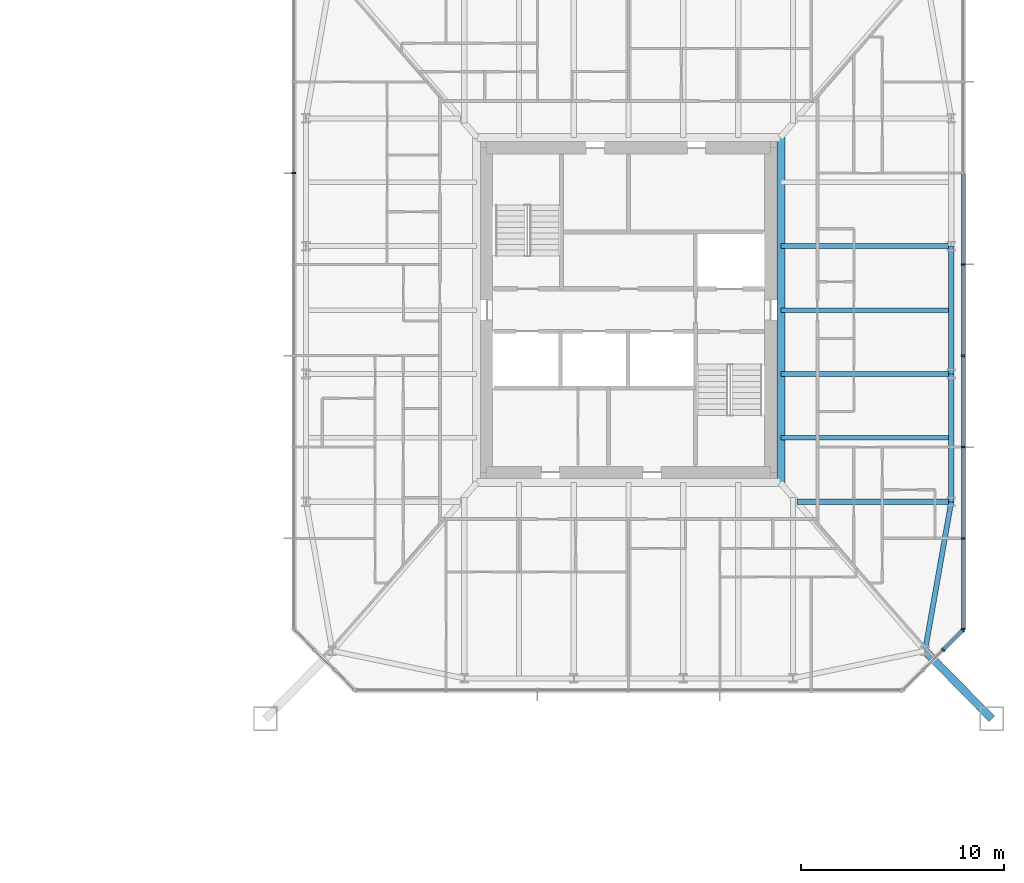
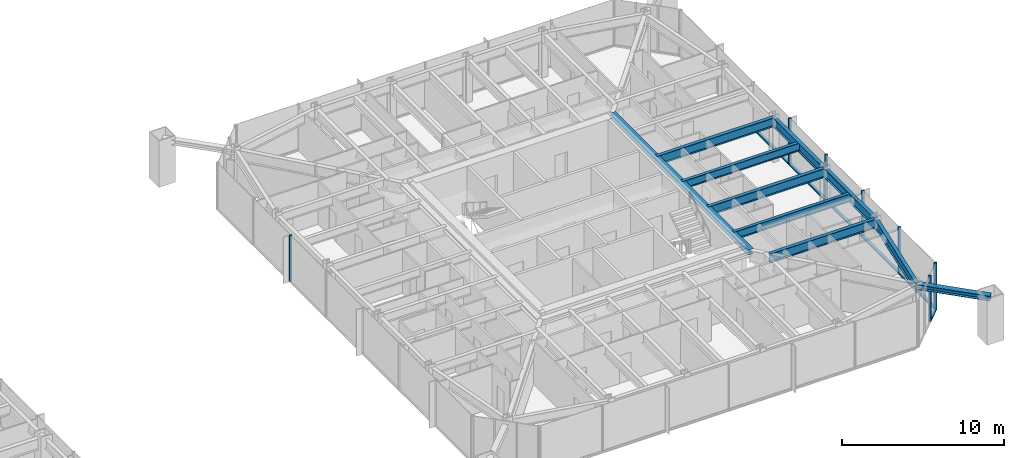
# One storey, part 9 of 26: 15 members, 9 beams, 3 elements without a shape of their own.
"""IFC4 building model written with IfcOpenShell, lengths in metres."""

import ifcopenshell
import ifcopenshell.guid

model = None  # the IFC model being written
_history = None  # IfcOwnerHistory: only IFC2X3 demands one
_inside = {}  # id of a spatial element -> (the spatial element, [elements in it])
_under = {}  # id of a project, library or spatial element -> (it, [spatial elements below it])
_declared = {}  # id of a project -> (the project, [libraries it declares])
_typed = {}  # id of a type object -> (the type object, [elements of that type])
_made_of = {}  # id of a material, layer set ... -> (it, [elements and type objects made of it])


def new_model(schema):
    """Start an empty IFC model of exactly this schema.

    Asked for "IFC4X3", IfcOpenShell would pick the latest addendum, in which some entities
    have other attributes; the version numbers below select the first issue.
    IFC2X3 requires an IfcOwnerHistory on every rooted entity: one is made here for all.
    """
    global model, _history
    if schema == "IFC4X3":
        model = ifcopenshell.file(schema_version=(4, 3, 0, 0))
    else:
        model = ifcopenshell.file(schema=schema)
    _inside.clear()
    _under.clear()
    _declared.clear()
    _typed.clear()
    _made_of.clear()
    _history = None
    if model.schema == "IFC2X3":
        org = make("IfcOrganization", Name="unknown")
        user = make(
            "IfcPersonAndOrganization",
            ThePerson=make("IfcPerson", FamilyName="unknown"),
            TheOrganization=org,
        )
        app = make(
            "IfcApplication",
            ApplicationDeveloper=org,
            Version="unknown",
            ApplicationFullName="unknown",
            ApplicationIdentifier="unknown",
        )
        _history = make(
            "IfcOwnerHistory",
            OwningUser=user,
            OwningApplication=app,
            ChangeAction="ADDED",
            CreationDate=0,
        )
    return model


def make(cls, **values):
    """One entity of the class cls with the attributes given. An attribute that is None is left unset."""
    return model.create_entity(
        cls, **{name: value for name, value in values.items() if value is not None}
    )


def rooted(cls, **values):
    """An entity with a GlobalId (a new one), such as an element, a storey or a relation."""
    return make(cls, GlobalId=ifcopenshell.guid.new(), OwnerHistory=_history, **values)


def si_unit(unit_type, name, prefix=None):
    """IfcSIUnit, for example si_unit("LENGTHUNIT", "METRE", prefix="MILLI")."""
    return make("IfcSIUnit", UnitType=unit_type, Prefix=prefix, Name=name)


def assignment(units):
    """IfcUnitAssignment: the units of a project."""
    return None if units is None else make("IfcUnitAssignment", Units=units)


def point(xyz):
    """IfcCartesianPoint."""
    return None if xyz is None else make("IfcCartesianPoint", Coordinates=xyz)


def direction(xyz):
    """IfcDirection."""
    return None if xyz is None else make("IfcDirection", DirectionRatios=xyz)


def frame(location, z_axis=None, x_axis=None):
    """IfcAxis2Placement3D, a coordinate frame: its origin and axes. An axis left out is left unset."""
    return make(
        "IfcAxis2Placement3D",
        Location=point(location),
        Axis=direction(z_axis),
        RefDirection=direction(x_axis),
    )


def frame_2d(location, x_axis=None):
    """IfcAxis2Placement2D, a coordinate frame in the plane: its origin and x axis."""
    return make(
        "IfcAxis2Placement2D", Location=point(location), RefDirection=direction(x_axis)
    )


def origin():
    """The frame at (0, 0, 0) with its axes left unset."""
    return frame((0.0, 0.0, 0.0))


def origin_2d():
    """The frame at (0, 0) in the plane with its x axis left unset."""
    return frame_2d((0.0, 0.0))


def place(relative_to, where):
    """IfcLocalPlacement: puts the frame where relative to a parent placement (None: the world)."""
    return make(
        "IfcLocalPlacement", PlacementRelTo=relative_to, RelativePlacement=where
    )


def context(
    kind, dimensions, precision=None, world=None, true_north=None, identifier=None
):
    """IfcGeometricRepresentationContext, for example the 3D "Model" context."""
    return make(
        "IfcGeometricRepresentationContext",
        ContextIdentifier=identifier,
        ContextType=kind,
        CoordinateSpaceDimension=dimensions,
        Precision=precision,
        WorldCoordinateSystem=world,
        TrueNorth=true_north,
    )


def subcontext(parent, identifier, kind, view, scale=None):
    """IfcGeometricRepresentationSubContext, for example "Body" below "Model"."""
    return make(
        "IfcGeometricRepresentationSubContext",
        ContextIdentifier=identifier,
        ContextType=kind,
        ParentContext=parent,
        TargetScale=scale,
        TargetView=view,
    )


def project(units=None, contexts=None):
    """IfcProject with its units and contexts."""
    return rooted(
        "IfcProject",
        Name="project",
        RepresentationContexts=contexts,
        UnitsInContext=assignment(units),
    )


def spatial(cls, under=None, at=None, **own):
    """A site, building, storey or space (cls), placed at a placement, below another one or the project."""
    s = rooted(cls, ObjectPlacement=at, **own)
    if under is not None:
        _under.setdefault(under.id(), (under, []))[1].append(s)
    return s


def profile(cls, at=None, kind="AREA", **sizes):
    """A parametric profile (cls). Its sizes go by their IFC names, for example OverallWidth=200.0."""
    return make(cls, ProfileType=kind, Position=at, **sizes)


def rectangle(**sizes):
    """IfcRectangleProfileDef."""
    return profile("IfcRectangleProfileDef", **sizes)


def i_section(**sizes):
    """IfcIShapeProfileDef."""
    return profile("IfcIShapeProfileDef", **sizes)


def extrude(swept, where, along, depth):
    """IfcExtrudedAreaSolid: the profile swept, set in the frame where, extruded along a direction by depth."""
    return make(
        "IfcExtrudedAreaSolid",
        SweptArea=swept,
        Position=where,
        ExtrudedDirection=direction(along),
        Depth=depth,
    )


def shape(context_of_items, identifier, shape_type, items):
    """IfcShapeRepresentation: the items that make up one representation, for example the "Body"."""
    return make(
        "IfcShapeRepresentation",
        ContextOfItems=context_of_items,
        RepresentationIdentifier=identifier,
        RepresentationType=shape_type,
        Items=items,
    )


def material(Name=None, Category=None):
    """IfcMaterial."""
    return make("IfcMaterial", Name=Name, Category=Category)


def material_profile(
    of_material, cross_section, Name=None, Category=None, Priority=None
):
    """IfcMaterialProfile: a cross section and its material."""
    return make(
        "IfcMaterialProfile",
        Name=Name,
        Material=of_material,
        Profile=cross_section,
        Priority=Priority,
        Category=Category,
    )


def profile_set(profiles, Name=None, composite=None):
    """IfcMaterialProfileSet."""
    return make(
        "IfcMaterialProfileSet",
        Name=Name,
        MaterialProfiles=profiles,
        CompositeProfile=composite,
    )


def made_of(thing, what):
    """Note that an element or type object is made of a material, layer set ...; save() writes the relation."""
    if what is not None:
        _made_of.setdefault(what.id(), (what, []))[1].append(thing)
    return thing


def type_object(cls, material=None, **own):
    """A type object (cls), such as IfcWallType, which elements share."""
    return made_of(rooted(cls, **own), material)


def element(
    cls,
    number,
    at=None,
    inside=None,
    cuts=None,
    type_object=None,
    material=None,
    context=None,
    identifier="Body",
    shape_type=None,
    held_by="IfcProductDefinitionShape",
    body=None,
    shapes=None,
    **own,
):
    """One element of the class cls, such as IfcWall. Its Tag is "e" and its number.

    at: its placement. inside: the storey or other place that contains it. cuts: it is an
    opening in that element (IfcRelVoidsElement). A single representation is given by context,
    identifier, shape_type and body (its items); several are given by shapes. held_by: the class
    of the entity that holds the representations. save() writes the other relations.
    """
    e = rooted(cls, Tag="e%d" % number, ObjectPlacement=at, **own)
    if body is not None:
        shapes = [shape(context, identifier, shape_type, body)]
    if shapes is not None:
        e.Representation = make(held_by, Representations=shapes)
    if inside is not None:
        _inside.setdefault(inside.id(), (inside, []))[1].append(e)
    if cuts is not None:
        rooted(
            "IfcRelVoidsElement", RelatingBuildingElement=cuts, RelatedOpeningElement=e
        )
    if type_object is not None:
        _typed.setdefault(type_object.id(), (type_object, []))[1].append(e)
    return made_of(e, material)


def aggregate(whole, parts):
    """IfcRelAggregates: a whole, such as a stair, and the parts it consists of."""
    return rooted("IfcRelAggregates", RelatingObject=whole, RelatedObjects=parts)


def save(model, path):
    """Write the relations noted so far, then the file.

    IfcRelAggregates (storeys below a building ...), IfcRelContainedInSpatialStructure (elements
    in a storey), IfcRelDefinesByType, IfcRelAssociatesMaterial and IfcRelDeclares: one each for
    every whole, place, type object, material and project.
    """
    for whole, parts in _under.values():
        aggregate(whole, parts)
    for where, things in _inside.values():
        rooted(
            "IfcRelContainedInSpatialStructure",
            RelatedElements=things,
            RelatingStructure=where,
        )
    for kind, things in _typed.values():
        rooted("IfcRelDefinesByType", RelatedObjects=things, RelatingType=kind)
    for what, things in _made_of.values():
        rooted("IfcRelAssociatesMaterial", RelatedObjects=things, RelatingMaterial=what)
    for by, libraries in _declared.values():
        rooted("IfcRelDeclares", RelatingContext=by, RelatedDefinitions=libraries)
    model.write(path)


model = new_model("IFC4")

# Units and contexts
model_context = context("Model", 3, precision=1e-05, world=origin(), true_north=direction((0.0, 1.0)))
body_context = subcontext(model_context, "Body", "Model", "MODEL_VIEW")
ifc_project = project(units=[si_unit("LENGTHUNIT", "METRE"), si_unit("AREAUNIT", "SQUARE_METRE"), si_unit("VOLUMEUNIT", "CUBIC_METRE"), si_unit("PLANEANGLEUNIT", "RADIAN"), si_unit("MASSUNIT", "GRAM", prefix="KILO")], contexts=[model_context])

# Site, building, storey
site_placement = place(None, origin())
site = spatial("IfcSite", under=ifc_project, at=site_placement, CompositionType="ELEMENT")
building_placement = place(site_placement, origin())
building = spatial("IfcBuilding", under=site, at=building_placement, Name="Iwan Alto Co-Living Towers", CompositionType="ELEMENT")
storey_placement = place(building_placement, frame((0.0, 0.0, 67.5)))
storey = spatial("IfcBuildingStorey", under=building, at=storey_placement, Name="L18", CompositionType="ELEMENT", Elevation=67.5)

# Curtain wall, members
ifc_material_1 = material(Name="Bronze aluminium unitised frame", Category="aluminium")
curtain_wall_type_1 = type_object("IfcCurtainWallType", Name="CURTAIN WALL CW-C", PredefinedType="NOTDEFINED", material=ifc_material_1)
curtain_wall_1_placement = place(storey_placement, origin())
curtain_wall_1 = element("IfcCurtainWall", 1, at=curtain_wall_1_placement, inside=storey, type_object=curtain_wall_type_1, Name="T2 curtain wall E L18", PredefinedType="NOTDEFINED")
ifc_material_2 = material(Name="Aluminium 6063-T6 bronze anodised", Category="aluminium")
ifc_material_profile_1 = material_profile(ifc_material_2, rectangle(XDim=0.199951171875, YDim=0.080078125, at=origin_2d()), Name="AL 80X200")
ifc_profile_set_1 = profile_set([ifc_material_profile_1], Name="Aluminium 6063-T6 bronze anodised")
member_type_1 = type_object("IfcMemberType", Name="CW-C MULLION 80X200", PredefinedType="MULLION", material=ifc_profile_set_1)
member_1_placement = place(storey_placement, frame((79.5, -15.7099609375, 0.0), z_axis=(0.0, 0.0, 1.0), x_axis=(-1.0, 0.0, 0.0)))
member_1 = element("IfcMember", 2, at=member_1_placement, type_object=member_type_1, Name="CW-C mullion 1", PredefinedType="MULLION", context=body_context, shape_type="SweptSolid", body=[
    extrude(rectangle(XDim=0.199951171875, YDim=0.080078125, at=origin_2d()), origin(), (0.0, 0.0, 1.0), 3.5),
])
member_2_placement = place(storey_placement, frame((79.5, -11.25, 0.0), z_axis=(0.0, 0.0, 1.0), x_axis=(-1.0, 0.0, 0.0)))
member_2 = element("IfcMember", 3, at=member_2_placement, type_object=member_type_1, Name="CW-C mullion 2", PredefinedType="MULLION", context=body_context, shape_type="SweptSolid", body=[
    extrude(rectangle(XDim=0.199951171875, YDim=0.080078125, at=origin_2d()), origin(), (0.0, 0.0, 1.0), 3.5),
])
member_3_placement = place(storey_placement, frame((79.5, -6.75, 0.0), z_axis=(0.0, 0.0, 1.0), x_axis=(-1.0, 0.0, 0.0)))
member_3 = element("IfcMember", 4, at=member_3_placement, type_object=member_type_1, Name="CW-C mullion 3", PredefinedType="MULLION", context=body_context, shape_type="SweptSolid", body=[
    extrude(rectangle(XDim=0.199951171875, YDim=0.080078125, at=origin_2d()), origin(), (0.0, 0.0, 1.0), 3.5),
])
member_4_placement = place(storey_placement, frame((79.5, -2.25, 0.0), z_axis=(0.0, 0.0, 1.0), x_axis=(-1.0, 0.0, 0.0)))
member_4 = element("IfcMember", 5, at=member_4_placement, type_object=member_type_1, Name="CW-C mullion 4", PredefinedType="MULLION", context=body_context, shape_type="SweptSolid", body=[
    extrude(rectangle(XDim=0.199951171875, YDim=0.080078125, at=origin_2d()), origin(), (0.0, 0.0, 1.0), 3.5),
])
member_5_placement = place(storey_placement, frame((79.5, 2.25, 0.0), z_axis=(0.0, 0.0, 1.0), x_axis=(-1.0, 0.0, 0.0)))
member_5 = element("IfcMember", 6, at=member_5_placement, type_object=member_type_1, Name="CW-C mullion 5", PredefinedType="MULLION", context=body_context, shape_type="SweptSolid", body=[
    extrude(rectangle(XDim=0.199951171875, YDim=0.080078125, at=origin_2d()), origin(), (0.0, 0.0, 1.0), 3.5),
])

# Curtain wall, member
curtain_wall_2_placement = place(storey_placement, origin())
curtain_wall_2 = element("IfcCurtainWall", 7, at=curtain_wall_2_placement, inside=storey, type_object=curtain_wall_type_1, Name="T2 curtain wall W L18", PredefinedType="NOTDEFINED")
member_6_placement = place(storey_placement, frame((46.5, 6.75, 0.0), z_axis=(0.0, 0.0, 1.0), x_axis=(1.0, 0.0, 0.0)))
member_6 = element("IfcMember", 8, at=member_6_placement, type_object=member_type_1, Name="CW-C mullion 3", PredefinedType="MULLION", context=body_context, shape_type="SweptSolid", body=[
    extrude(rectangle(XDim=0.199951171875, YDim=0.080078125, at=origin_2d()), origin(), (0.0, 0.0, 1.0), 3.5),
])
aggregate(curtain_wall_2, [member_6])

# Member
ifc_material_3 = material(Name="Aluminium 6063-T6 bronze anodised", Category="aluminium")
ifc_material_profile_2 = material_profile(ifc_material_3, rectangle(XDim=0.199951171875, YDim=0.10009765625, at=origin_2d()), Name="AL 200X100")
ifc_profile_set_2 = profile_set([ifc_material_profile_2], Name="Aluminium 6063-T6 bronze anodised")
member_type_2 = type_object("IfcMemberType", Name="CW-C TRANSOM 200X100", PredefinedType="USERDEFINED", material=ifc_profile_set_2)
member_7_placement = place(storey_placement, frame((79.5, -15.669921875, 0.050048828125), z_axis=(0.0, 1.0, 0.0), x_axis=(-1.0, 0.0, 0.0)))
member_7 = element("IfcMember", 9, at=member_7_placement, type_object=member_type_2, Name="CW-C transom 1.1", ObjectType="TRANSOM", PredefinedType="USERDEFINED", context=body_context, shape_type="SweptSolid", body=[
    extrude(rectangle(XDim=0.199951171875, YDim=0.10009765625, at=origin_2d()), origin(), (0.0, 0.0, 1.0), 4.3798828125),
])

member_8_placement = place(storey_placement, frame((79.5, -11.2099609375, 0.050048828125), z_axis=(0.0, 1.0, 0.0), x_axis=(-1.0, 0.0, 0.0)))
member_8 = element("IfcMember", 10, at=member_8_placement, type_object=member_type_2, Name="CW-C transom 2.1", ObjectType="TRANSOM", PredefinedType="USERDEFINED", context=body_context, shape_type="SweptSolid", body=[
    extrude(rectangle(XDim=0.199951171875, YDim=0.10009765625, at=origin_2d()), origin(), (0.0, 0.0, 1.0), 4.419921875),
])

member_9_placement = place(storey_placement, frame((79.5, -6.7099609375, 0.050048828125), z_axis=(0.0, 1.0, 0.0), x_axis=(-1.0, 0.0, 0.0)))
member_9 = element("IfcMember", 11, at=member_9_placement, type_object=member_type_2, Name="CW-C transom 3.1", ObjectType="TRANSOM", PredefinedType="USERDEFINED", context=body_context, shape_type="SweptSolid", body=[
    extrude(rectangle(XDim=0.199951171875, YDim=0.10009765625, at=origin_2d()), origin(), (0.0, 0.0, 1.0), 4.419921875),
])

member_10_placement = place(storey_placement, frame((79.5, -2.2099609375, 0.050048828125), z_axis=(0.0, 1.0, 0.0), x_axis=(-1.0, 0.0, 0.0)))
member_10 = element("IfcMember", 12, at=member_10_placement, type_object=member_type_2, Name="CW-C transom 4.1", ObjectType="TRANSOM", PredefinedType="USERDEFINED", context=body_context, shape_type="SweptSolid", body=[
    extrude(rectangle(XDim=0.199951171875, YDim=0.10009765625, at=origin_2d()), origin(), (0.0, 0.0, 1.0), 4.419921875),
])

member_11_placement = place(storey_placement, frame((79.5, 2.2900390625, 0.050048828125), z_axis=(0.0, 1.0, 0.0), x_axis=(-1.0, 0.0, 0.0)))
member_11 = element("IfcMember", 13, at=member_11_placement, type_object=member_type_2, Name="CW-C transom 5.1", ObjectType="TRANSOM", PredefinedType="USERDEFINED", context=body_context, shape_type="SweptSolid", body=[
    extrude(rectangle(XDim=0.199951171875, YDim=0.10009765625, at=origin_2d()), origin(), (0.0, 0.0, 1.0), 4.419921875),
])

aggregate(curtain_wall_1, [member_1, member_2, member_3, member_4, member_5, member_7, member_8, member_9, member_10, member_11])

# Curtain wall, members
ifc_material_4 = material(Name="Bronze aluminium unitised frame", Category="aluminium")
curtain_wall_type_2 = type_object("IfcCurtainWallType", Name="CURTAIN WALL CW-D", PredefinedType="NOTDEFINED", material=ifc_material_4)
curtain_wall_3_placement = place(storey_placement, origin())
curtain_wall_3 = element("IfcCurtainWall", 14, at=curtain_wall_3_placement, inside=storey, type_object=curtain_wall_type_2, Name="T2 chamfer curtain wall SE L18", PredefinedType="NOTDEFINED")
ifc_material_5 = material(Name="Aluminium 6063-T6 bronze anodised", Category="aluminium")
ifc_material_profile_3 = material_profile(ifc_material_5, rectangle(XDim=0.199951171875, YDim=0.080078125, at=origin_2d()), Name="AL 80X200")
ifc_profile_set_3 = profile_set([ifc_material_profile_3], Name="Aluminium 6063-T6 bronze anodised")
member_type_3 = type_object("IfcMemberType", Name="CW-D MULLION 80X200", PredefinedType="MULLION", material=ifc_profile_set_3)
member_12_placement = place(storey_placement, frame((78.5, -16.75, 0.0), z_axis=(0.0, 0.0, 1.0), x_axis=(-0.707106781187, 0.707106781187, 0.0)))
member_12 = element("IfcMember", 15, at=member_12_placement, type_object=member_type_3, Name="CW-D mullion 3", PredefinedType="MULLION", context=body_context, shape_type="SweptSolid", body=[
    extrude(rectangle(XDim=0.199951171875, YDim=0.080078125, at=origin_2d()), origin(), (0.0, 0.0, 1.0), 3.5),
])
member_13_placement = place(storey_placement, frame((79.4716796875, -15.7783203125, 0.0), z_axis=(0.0, 0.0, 1.0), x_axis=(-0.707106781187, 0.707106781187, 0.0)))
member_13 = element("IfcMember", 16, at=member_13_placement, type_object=member_type_3, Name="CW-D mullion 4", PredefinedType="MULLION", context=body_context, shape_type="SweptSolid", body=[
    extrude(rectangle(XDim=0.199951171875, YDim=0.080078125, at=origin_2d()), origin(), (0.0, 0.0, 1.0), 3.5),
])
ifc_material_6 = material(Name="Aluminium 6063-T6 bronze anodised", Category="aluminium")
ifc_material_profile_4 = material_profile(ifc_material_6, rectangle(XDim=0.199951171875, YDim=0.10009765625, at=origin_2d()), Name="AL 200X100")
ifc_profile_set_4 = profile_set([ifc_material_profile_4], Name="Aluminium 6063-T6 bronze anodised")
member_type_4 = type_object("IfcMemberType", Name="CW-D TRANSOM 200X100", PredefinedType="USERDEFINED", material=ifc_profile_set_4)
member_14_placement = place(storey_placement, frame((78.5283203125, -16.7216796875, 0.050048828125), z_axis=(0.707106781187, 0.707106781187, 0.0), x_axis=(-0.707106781187, 0.707106781187, 0.0)))
member_14 = element("IfcMember", 17, at=member_14_placement, type_object=member_type_4, Name="CW-D transom 3.1", ObjectType="TRANSOM", PredefinedType="USERDEFINED", context=body_context, shape_type="SweptSolid", body=[
    extrude(rectangle(XDim=0.199951171875, YDim=0.10009765625, at=origin_2d()), origin(), (0.0, 0.0, 1.0), 1.2939453125),
])
aggregate(curtain_wall_3, [member_12, member_13, member_14])

# Beams
ifc_material_7 = material(Name="Steel ASTM A992 Gr 50", Category="steel")
ifc_material_profile_5 = material_profile(ifc_material_7, i_section(OverallWidth=0.398681640625, OverallDepth=0.385986328125, WebThickness=0.02099609375, FlangeThickness=0.033203125, at=origin_2d()), Name="W14X176")
ifc_profile_set_5 = profile_set([ifc_material_profile_5], Name="Steel ASTM A992 Gr 50")
beam_type_1 = type_object("IfcBeamType", Name="T2 CORE LEDGER BEAM W14X176", PredefinedType="BEAM", material=ifc_profile_set_5)
beam_1_placement = place(storey_placement, frame((70.49951171875, -8.531982421875, 3.076904296875), z_axis=(0.0, 1.0, 0.0), x_axis=(-1.0, 0.0, 0.0)))
element("IfcBeam", 18, at=beam_1_placement, inside=storey, type_object=beam_type_1, Name="T2 core ledger beam E L19", PredefinedType="BEAM", context=body_context, shape_type="SweptSolid", body=[
    extrude(i_section(OverallWidth=0.398681640625, OverallDepth=0.385986328125, WebThickness=0.02099609375, FlangeThickness=0.033203125, at=origin_2d()), origin(), (0.0, 0.0, 1.0), 17.06396484375),
])
ifc_material_8 = material(Name="Steel ASTM A992 Gr 50", Category="steel")
ifc_material_profile_6 = material_profile(ifc_material_8, i_section(OverallWidth=0.25390625, OverallDepth=0.683349609375, WebThickness=0.012451171875, FlangeThickness=0.018798828125, at=origin_2d()), Name="W27X94")
ifc_profile_set_6 = profile_set([ifc_material_profile_6], Name="Steel ASTM A992 Gr 50")
beam_type_2 = type_object("IfcBeamType", Name="T2 EDGE BEAM W27X94", PredefinedType="BEAM", material=ifc_profile_set_6)
beam_2_placement = place(storey_placement, frame((77.606201171875, -16.797119140625, 2.928466796875), z_axis=(0.173413807283, 0.98484905008, 0.0), x_axis=(-0.98484905008, 0.173413807283, 0.0)))
element("IfcBeam", 19, at=beam_2_placement, inside=storey, type_object=beam_type_2, Name="T2 edge beam CSE L19", PredefinedType="BEAM", context=body_context, shape_type="SweptSolid", body=[
    extrude(i_section(OverallWidth=0.25390625, OverallDepth=0.683349609375, WebThickness=0.012451171875, FlangeThickness=0.018798828125, at=origin_2d()), origin(), (0.0, 0.0, 1.0), 7.460205078125),
])
beam_3_placement = place(storey_placement, frame((78.89990234375, -9.449951171875, 2.928466796875), z_axis=(0.0, 1.0, 0.0), x_axis=(-1.0, 0.0, 0.0)))
element("IfcBeam", 20, at=beam_3_placement, inside=storey, type_object=beam_type_2, Name="T2 edge beam E1 L19", PredefinedType="BEAM", context=body_context, shape_type="SweptSolid", body=[
    extrude(i_section(OverallWidth=0.25390625, OverallDepth=0.683349609375, WebThickness=0.012451171875, FlangeThickness=0.018798828125, at=origin_2d()), origin(), (0.0, 0.0, 1.0), 6.300048828125),
])
beam_4_placement = place(storey_placement, frame((78.89990234375, -3.14990234375, 2.928466796875), z_axis=(0.0, 1.0, 0.0), x_axis=(-1.0, 0.0, 0.0)))
element("IfcBeam", 21, at=beam_4_placement, inside=storey, type_object=beam_type_2, Name="T2 edge beam E2 L19", PredefinedType="BEAM", context=body_context, shape_type="SweptSolid", body=[
    extrude(i_section(OverallWidth=0.25390625, OverallDepth=0.683349609375, WebThickness=0.012451171875, FlangeThickness=0.018798828125, at=origin_2d()), origin(), (0.0, 0.0, 1.0), 6.2998046875),
])

# Member
ifc_material_9 = material(Name="Steel ASTM A992 Gr 50", Category="steel")
ifc_material_profile_7 = material_profile(ifc_material_9, i_section(OverallWidth=0.393798828125, OverallDepth=0.3759765625, WebThickness=0.017333984375, FlangeThickness=0.027587890625, at=origin_2d()), Name="W14X145")
ifc_profile_set_7 = profile_set([ifc_material_profile_7], Name="Steel ASTM A992 Gr 50")
member_type_5 = type_object("IfcMemberType", Name="T2 MEGA COLUMN FLOOR TIE W14X145", PredefinedType="STRUT", material=ifc_profile_set_7)
member_15_placement = place(storey_placement, frame((80.89990234375, -20.14990234375, 3.08203125), z_axis=(-0.700793469544, 0.71336422187, 0.0), x_axis=(-0.71336422187, -0.700793469544, 0.0)))
element("IfcMember", 22, at=member_15_placement, inside=storey, type_object=member_type_5, Name="T2 mega column floor tie SE L19", PredefinedType="STRUT", context=body_context, shape_type="SweptSolid", body=[
    extrude(i_section(OverallWidth=0.393798828125, OverallDepth=0.3759765625, WebThickness=0.017333984375, FlangeThickness=0.027587890625, at=origin_2d()), origin(), (0.0, 0.0, 1.0), 4.699951171875),
])

# Beams
ifc_material_10 = material(Name="Steel ASTM A992 Gr 50", Category="steel")
ifc_material_profile_8 = material_profile(ifc_material_10, i_section(OverallWidth=0.25390625, OverallDepth=0.683349609375, WebThickness=0.012451171875, FlangeThickness=0.018798828125, at=origin_2d()), Name="W27X94")
ifc_profile_set_8 = profile_set([ifc_material_profile_8], Name="Steel ASTM A992 Gr 50")
beam_type_3 = type_object("IfcBeamType", Name="T2 RADIAL BEAM W27X94", PredefinedType="BEAM", material=ifc_profile_set_8)
beam_5_placement = place(storey_placement, frame((78.89990234375, -9.449951171875, 2.928466796875), z_axis=(-1.0, 0.0, 0.0), x_axis=(0.0, -1.0, 0.0)))
element("IfcBeam", 23, at=beam_5_placement, inside=storey, type_object=beam_type_3, Name="T2 radial beam E1 L19", PredefinedType="BEAM", context=body_context, shape_type="SweptSolid", body=[
    extrude(i_section(OverallWidth=0.25390625, OverallDepth=0.683349609375, WebThickness=0.012451171875, FlangeThickness=0.018798828125, at=origin_2d()), origin(), (0.0, 0.0, 1.0), 7.611083984375),
])
for number, where, z_axis, x_axis, name in (
    (24, (78.89990234375, -3.14990234375, 2.928466796875), (-1.0, 0.0, 0.0), (0.0, -1.0, 0.0), "T2 radial beam E2 L19"),
    (25, (78.89990234375, 3.14990234375, 2.928466796875), (-1.0, 0.0, 0.0), (0.0, -1.0, 0.0), "T2 radial beam E3 L19"),
):
    element("IfcBeam", number, at=place(storey_placement, frame(where, z_axis=z_axis, x_axis=x_axis)), inside=storey, type_object=beam_type_3, Name=name, PredefinedType="BEAM", context=body_context, shape_type="SweptSolid", body=[
        extrude(i_section(OverallWidth=0.25390625, OverallDepth=0.683349609375, WebThickness=0.012451171875, FlangeThickness=0.018798828125, at=origin_2d()), origin(), (0.0, 0.0, 1.0), 8.400390625),
    ])
ifc_material_11 = material(Name="Steel ASTM A992 Gr 50", Category="steel")
ifc_material_profile_9 = material_profile(ifc_material_11, i_section(OverallWidth=0.228271484375, OverallDepth=0.607177734375, WebThickness=0.01123046875, FlangeThickness=0.017333984375, at=origin_2d()), Name="W24X76")
ifc_profile_set_9 = profile_set([ifc_material_profile_9], Name="Steel ASTM A992 Gr 50")
beam_type_4 = type_object("IfcBeamType", Name="T2 SECONDARY BEAM W24X76", PredefinedType="JOIST", material=ifc_profile_set_9)
for number, where, z_axis, x_axis, name in (
    (26, (78.89990234375, -6.300048828125, 2.966552734375), (-1.0, 0.0, 0.0), (0.0, -1.0, 0.0), "T2 secondary beam E1 L19"),
    (27, (78.89990234375, 0.0, 2.966552734375), (-1.0, 0.0, 0.0), (0.0, -1.0, 0.0), "T2 secondary beam E2 L19"),
):
    element("IfcBeam", number, at=place(storey_placement, frame(where, z_axis=z_axis, x_axis=x_axis)), inside=storey, type_object=beam_type_4, Name=name, PredefinedType="JOIST", context=body_context, shape_type="SweptSolid", body=[
        extrude(i_section(OverallWidth=0.228271484375, OverallDepth=0.607177734375, WebThickness=0.01123046875, FlangeThickness=0.017333984375, at=origin_2d()), origin(), (0.0, 0.0, 1.0), 8.400390625),
    ])

save(model, "model.ifc")
